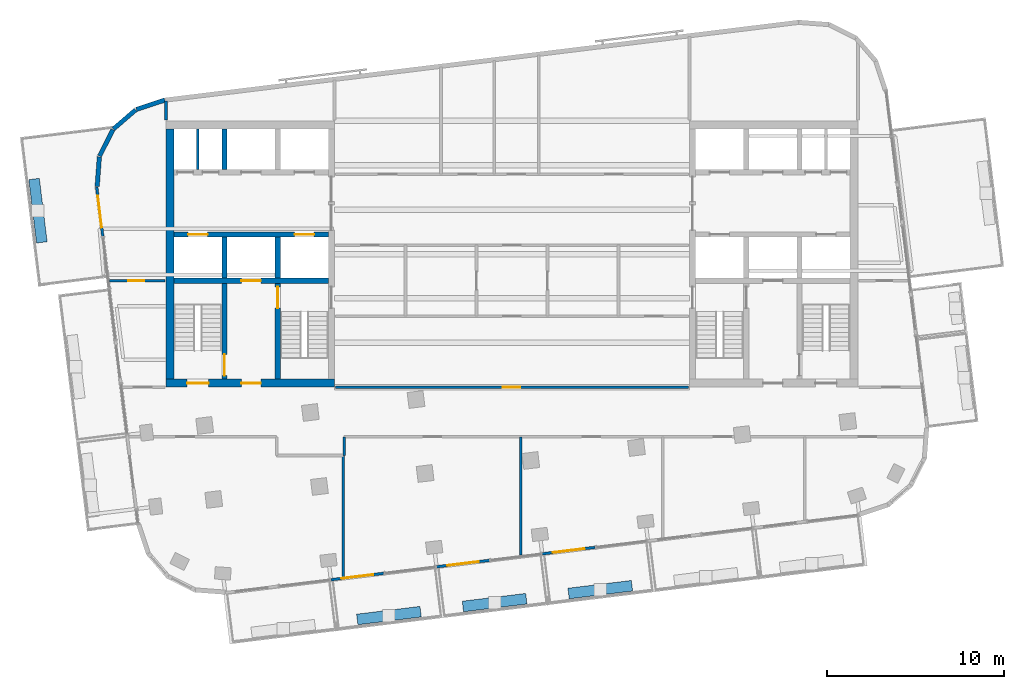
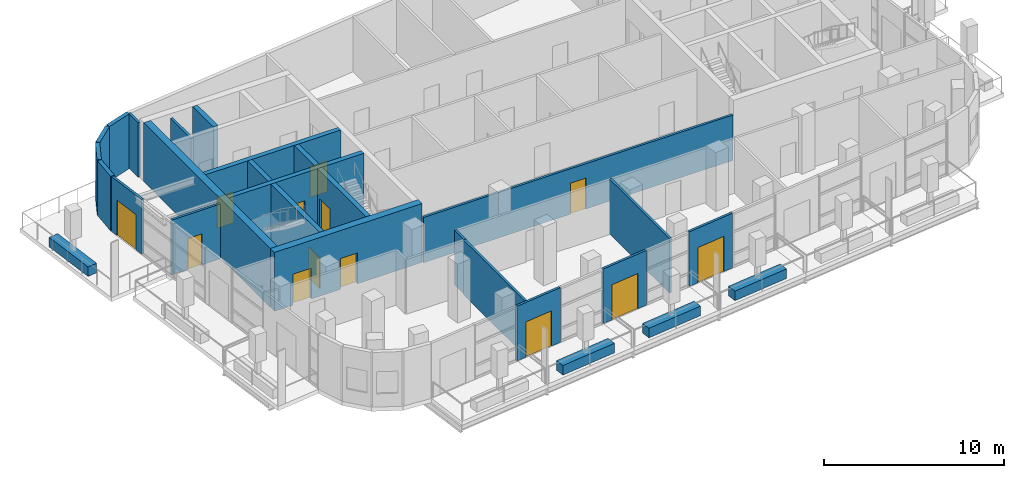
# One storey, part 7 of 14: 28 walls, 13 doors, 13 openings.
"""IFC4 building model written with IfcOpenShell, lengths in metres."""

from ifc_helpers import new_model, si_unit, direction, frame, frame_2d, origin, place, context, subcontext, project, spatial, rectangle, extrude, material, layer, layer_set, type_object, element, fill, save


model = new_model("IFC4")

# Units and contexts
model_context = context("Model", 3, precision=1e-05, world=origin(), true_north=direction((0.0, 1.0)))
body_context = subcontext(model_context, "Body", "Model", "MODEL_VIEW")
ifc_project = project(units=[si_unit("LENGTHUNIT", "METRE"), si_unit("AREAUNIT", "SQUARE_METRE"), si_unit("VOLUMEUNIT", "CUBIC_METRE"), si_unit("PLANEANGLEUNIT", "RADIAN"), si_unit("MASSUNIT", "GRAM", prefix="KILO")], contexts=[model_context])

# Site, building, storey
site_placement = place(None, origin())
site = spatial("IfcSite", under=ifc_project, at=site_placement, CompositionType="ELEMENT")
building_placement = place(site_placement, origin())
building = spatial("IfcBuilding", under=site, at=building_placement, Name="Torana Hotel and Residences", CompositionType="ELEMENT")
storey_placement = place(building_placement, frame((0.0, 0.0, 338.60009765625)))
storey = spatial("IfcBuildingStorey", under=building, at=storey_placement, Name="L89", CompositionType="ELEMENT", Elevation=338.60009765625)

# Wall, openings, doors
ifc_material_1 = material(Name="Concrete C60/75", Category="concrete")
ifc_layer_1 = layer(ifc_material_1, 0.300048828125)
ifc_layer_set_1 = layer_set([ifc_layer_1], Name="CORE WALL 300 C60/75")
wall_type_1 = type_object("IfcWallType", Name="CORE WALL 300 C60/75", PredefinedType="SHEAR", material=ifc_layer_set_1)
wall_1_placement = place(storey_placement, frame((-19.050048828125, -6.39990234375, 0.0), z_axis=(0.0, 0.0, 1.0), x_axis=(1.0, 0.0, 0.0)))
wall_1 = element("IfcWall", 1, at=wall_1_placement, inside=storey, type_object=wall_type_1, Name="Core wall W row-S", PredefinedType="SHEAR", context=body_context, shape_type="SweptSolid", body=[
    extrude(rectangle(XDim=8.699951171875, YDim=0.300048828125, at=frame_2d((4.35009765625, 0.0))), origin(), (0.0, 0.0, 1.0), 4.0),
])
opening_1_placement = place(wall_1_placement, frame((6.800048828125, 0.0, 0.0)))
opening_1 = element("IfcOpeningElement", 2, at=opening_1_placement, cuts=wall_1, Name="Opening LD", PredefinedType="OPENING", context=body_context, shape_type="SweptSolid", body=[
    extrude(rectangle(XDim=1.10009765625, YDim=2.10009765625, at=frame_2d((0.550048828125, 1.050048828125))), frame((0.0, 0.159912109375, 0.0), z_axis=(0.0, -1.0, 0.0), x_axis=(1.0, 0.0, 0.0)), (0.0, 0.0, 1.0), 0.320068359375),
])
opening_2_placement = place(wall_1_placement, frame((0.800048828125, 0.0, 0.0)))
opening_2 = element("IfcOpeningElement", 3, at=opening_2_placement, cuts=wall_1, Name="Opening LD", PredefinedType="OPENING", context=body_context, shape_type="SweptSolid", body=[
    extrude(rectangle(XDim=1.10009765625, YDim=2.10009765625, at=frame_2d((0.550048828125, 1.050048828125))), frame((0.0, 0.159912109375, 0.0), z_axis=(0.0, -1.0, 0.0), x_axis=(1.0, 0.0, 0.0)), (0.0, 0.0, 1.0), 0.320068359375),
])
ifc_material_2 = material(Name="Stainless steel 316", Category="steel")
door_type_1 = type_object("IfcDoorType", Name="LIFT LANDING DOOR LD 1100x2100", OperationType="DOUBLE_DOOR_SLIDING", PredefinedType="USERDEFINED", material=ifc_material_2)
door_1_placement = place(opening_1_placement, origin())
door_1 = element("IfcDoor", 4, at=door_1_placement, inside=storey, type_object=door_type_1, Name="Lift landing door X1 L89", ObjectType="LIFT LANDING DOOR", OperationType="DOUBLE_DOOR_SLIDING", OverallHeight=2.10009765625, OverallWidth=1.10009765625, PredefinedType="USERDEFINED", context=body_context, shape_type="SweptSolid", body=[
    extrude(rectangle(XDim=1.10009765625, YDim=2.10009765625, at=frame_2d((0.550048828125, 1.050048828125))), frame((0.0, 0.02490234375, 0.0), z_axis=(0.0, -1.0, 0.0), x_axis=(1.0, 0.0, 0.0)), (0.0, 0.0, 1.0), 0.050048828125),
])
fill(opening_1, door_1)
door_2_placement = place(opening_2_placement, origin())
door_2 = element("IfcDoor", 5, at=door_2_placement, inside=storey, type_object=door_type_1, Name="Lift landing door SV1 L89", ObjectType="LIFT LANDING DOOR", OperationType="DOUBLE_DOOR_SLIDING", OverallHeight=2.10009765625, OverallWidth=1.10009765625, PredefinedType="USERDEFINED", context=body_context, shape_type="SweptSolid", body=[
    extrude(rectangle(XDim=1.10009765625, YDim=2.10009765625, at=frame_2d((0.550048828125, 1.050048828125))), frame((0.0, 0.02490234375, 0.0), z_axis=(0.0, -1.0, 0.0), x_axis=(1.0, 0.0, 0.0)), (0.0, 0.0, 1.0), 0.050048828125),
])
fill(opening_2, door_2)

# Wall, opening, door
wall_2_placement = place(storey_placement, frame((-19.050048828125, -9.0, 0.0), z_axis=(0.0, 0.0, 1.0), x_axis=(1.0, 0.0, 0.0)))
wall_2 = element("IfcWall", 6, at=wall_2_placement, inside=storey, type_object=wall_type_1, Name="Core wall W band", PredefinedType="SHEAR", context=body_context, shape_type="SweptSolid", body=[
    extrude(rectangle(XDim=8.699951171875, YDim=0.300048828125, at=frame_2d((4.35009765625, 0.0))), origin(), (0.0, 0.0, 1.0), 4.0),
])
opening_3_placement = place(wall_2_placement, frame((3.800048828125, 0.0, 0.0)))
opening_3 = element("IfcOpeningElement", 7, at=opening_3_placement, cuts=wall_2, Name="Opening LD", PredefinedType="OPENING", context=body_context, shape_type="SweptSolid", body=[
    extrude(rectangle(XDim=1.10009765625, YDim=2.10009765625, at=frame_2d((0.550048828125, 1.050048828125))), frame((0.0, 0.159912109375, 0.0), z_axis=(0.0, -1.0, 0.0), x_axis=(1.0, 0.0, 0.0)), (0.0, 0.0, 1.0), 0.320068359375),
])
door_3_placement = place(opening_3_placement, origin())
door_3 = element("IfcDoor", 8, at=door_3_placement, inside=storey, type_object=door_type_1, Name="Lift landing door FF1 L89", ObjectType="LIFT LANDING DOOR", OperationType="DOUBLE_DOOR_SLIDING", OverallHeight=2.10009765625, OverallWidth=1.10009765625, PredefinedType="USERDEFINED", context=body_context, shape_type="SweptSolid", body=[
    extrude(rectangle(XDim=1.10009765625, YDim=2.10009765625, at=frame_2d((0.550048828125, 1.050048828125))), frame((0.0, 0.02490234375, 0.0), z_axis=(0.0, -1.0, 0.0), x_axis=(1.0, 0.0, 0.0)), (0.0, 0.0, 1.0), 0.050048828125),
])
fill(opening_3, door_3)

# Wall
wall_3_placement = place(storey_placement, frame((-13.199951171875, -8.85009765625, 0.0), z_axis=(0.0, 0.0, 1.0), x_axis=(0.0, 1.0, 0.0)))
element("IfcWall", 9, at=wall_3_placement, inside=storey, type_object=wall_type_1, Name="Core wall W x3.05-S", PredefinedType="SHEAR", context=body_context, shape_type="SweptSolid", body=[
    extrude(rectangle(XDim=2.300048828125, YDim=0.300048828125, at=frame_2d((1.14990234375, 0.0))), origin(), (0.0, 0.0, 1.0), 4.0),
])

# Wall, opening, door
wall_4_placement = place(storey_placement, frame((-13.199951171875, -14.550048828125, 0.0), z_axis=(0.0, 0.0, 1.0), x_axis=(0.0, 1.0, 0.0)))
wall_4 = element("IfcWall", 10, at=wall_4_placement, inside=storey, type_object=wall_type_1, Name="Core wall W x3.05-band", PredefinedType="SHEAR", context=body_context, shape_type="SweptSolid", body=[
    extrude(rectangle(XDim=5.400146484375, YDim=0.300048828125, at=frame_2d((2.7001953125, 0.0))), origin(), (0.0, 0.0, 1.0), 4.0),
])
opening_4_placement = place(wall_4_placement, frame((4.0, 0.0, 0.0)))
opening_4 = element("IfcOpeningElement", 11, at=opening_4_placement, cuts=wall_4, Name="Opening L89-08", PredefinedType="OPENING", context=body_context, shape_type="SweptSolid", body=[
    extrude(rectangle(XDim=1.199951171875, YDim=2.10009765625, at=frame_2d((0.60009765625, 1.050048828125))), frame((0.0, 0.159912109375, 0.0), z_axis=(0.0, -1.0, 0.0), x_axis=(1.0, 0.0, 0.0)), (0.0, 0.0, 1.0), 0.320068359375),
])
ifc_material_3 = material(Name="Steel S235", Category="steel")
door_type_2 = type_object("IfcDoorType", Name="STAIR FIRE DOOR D3 1200x2100", OperationType="SINGLE_SWING_LEFT", PredefinedType="DOOR", material=ifc_material_3)
door_4_placement = place(opening_4_placement, frame((0.60009765625, 0.0, 0.0), z_axis=(0.0, 0.0, 1.0), x_axis=(-1.0, 0.0, 0.0)))
door_4 = element("IfcDoor", 12, at=door_4_placement, inside=storey, type_object=door_type_2, Name="Stair-A-lobby door L89", OperationType="SINGLE_SWING_RIGHT", OverallHeight=2.10009765625, OverallWidth=1.199951171875, PredefinedType="DOOR", context=body_context, shape_type="SweptSolid", body=[
    extrude(rectangle(XDim=1.199951171875, YDim=2.10009765625, at=frame_2d((0.0, 1.050048828125))), frame((0.0, -0.02490234375, 0.0), z_axis=(0.0, 1.0, 0.0), x_axis=(-1.0, 0.0, 0.0)), (0.0, 0.0, 1.0), 0.050048828125),
])
fill(opening_4, door_4)

# Walls
for number, where, z_axis, x_axis, name in (
    (13, (-16.199951171875, -2.75, 0.0), (0.0, 0.0, 1.0), (0.0, 1.0, 0.0), "Core wall W x6.05-N"),
    (14, (-16.199951171875, -8.85009765625, 0.0), (0.0, 0.0, 1.0), (0.0, 1.0, 0.0), "Core wall W x6.05-S"),
):
    element("IfcWall", number, at=place(storey_placement, frame(where, z_axis=z_axis, x_axis=x_axis)), inside=storey, type_object=wall_type_1, Name=name, PredefinedType="SHEAR", context=body_context, shape_type="SweptSolid", body=[
        extrude(rectangle(XDim=2.300048828125, YDim=0.300048828125, at=frame_2d((1.14990234375, 0.0))), origin(), (0.0, 0.0, 1.0), 4.0),
    ])

# Wall, opening, door
wall_5_placement = place(storey_placement, frame((-16.199951171875, -14.550048828125, 0.0), z_axis=(0.0, 0.0, 1.0), x_axis=(0.0, 1.0, 0.0)))
wall_5 = element("IfcWall", 15, at=wall_5_placement, inside=storey, type_object=wall_type_1, Name="Core wall W x6.05-band", PredefinedType="SHEAR", context=body_context, shape_type="SweptSolid", body=[
    extrude(rectangle(XDim=5.400146484375, YDim=0.300048828125, at=frame_2d((2.7001953125, 0.0))), origin(), (0.0, 0.0, 1.0), 4.0),
])
opening_5_placement = place(wall_5_placement, frame((0.199951171875, 0.0, 0.0)))
opening_5 = element("IfcOpeningElement", 16, at=opening_5_placement, cuts=wall_5, Name="Opening L89-09", PredefinedType="OPENING", context=body_context, shape_type="SweptSolid", body=[
    extrude(rectangle(XDim=1.199951171875, YDim=2.10009765625, at=frame_2d((0.60009765625, 1.050048828125))), frame((0.0, 0.159912109375, 0.0), z_axis=(0.0, -1.0, 0.0), x_axis=(1.0, 0.0, 0.0)), (0.0, 0.0, 1.0), 0.320068359375),
])
door_5_placement = place(opening_5_placement, origin())
door_5 = element("IfcDoor", 17, at=door_5_placement, inside=storey, type_object=door_type_2, Name="Stair-B-lobby door L89", OperationType="SINGLE_SWING_RIGHT", OverallHeight=2.10009765625, OverallWidth=1.199951171875, PredefinedType="DOOR", context=body_context, shape_type="SweptSolid", body=[
    extrude(rectangle(XDim=1.199951171875, YDim=2.10009765625, at=frame_2d((0.60009765625, 1.050048828125))), frame((0.0, 0.02490234375, 0.0), z_axis=(0.0, -1.0, 0.0), x_axis=(1.0, 0.0, 0.0)), (0.0, 0.0, 1.0), 0.050048828125),
])
fill(opening_5, door_5)

# Wall, openings, doors
ifc_material_4 = material(Name="Concrete C60/75", Category="concrete")
ifc_layer_2 = layer(ifc_material_4, 0.449951171875)
ifc_layer_set_2 = layer_set([ifc_layer_2], Name="CORE WALL 450 C60/75")
wall_type_2 = type_object("IfcWallType", Name="CORE WALL 450 C60/75", PredefinedType="SHEAR", material=ifc_layer_set_2)
wall_6_placement = place(storey_placement, frame((-19.5, -14.77490234375, 0.0), z_axis=(0.0, 0.0, 1.0), x_axis=(1.0, 0.0, 0.0)))
wall_6 = element("IfcWall", 18, at=wall_6_placement, inside=storey, type_object=wall_type_2, Name="Core wall W front", PredefinedType="SHEAR", context=body_context, shape_type="SweptSolid", body=[
    extrude(rectangle(XDim=9.5, YDim=0.449951171875, at=frame_2d((4.75, 0.0))), origin(), (0.0, 0.0, 1.0), 4.0),
])
opening_6_placement = place(wall_6_placement, frame((1.199951171875, 0.0, 0.0)))
opening_6 = element("IfcOpeningElement", 19, at=opening_6_placement, cuts=wall_6, Name="Opening L89-04", PredefinedType="OPENING", context=body_context, shape_type="SweptSolid", body=[
    extrude(rectangle(XDim=1.199951171875, YDim=2.10009765625, at=frame_2d((0.60009765625, 1.050048828125))), frame((0.0, 0.23486328125, 0.0), z_axis=(0.0, -1.0, 0.0), x_axis=(1.0, 0.0, 0.0)), (0.0, 0.0, 1.0), 0.469970703125),
])
opening_7_placement = place(wall_6_placement, frame((4.25, 0.0, 0.0)))
opening_7 = element("IfcOpeningElement", 20, at=opening_7_placement, cuts=wall_6, Name="Opening L89-05", PredefinedType="OPENING", context=body_context, shape_type="SweptSolid", body=[
    extrude(rectangle(XDim=1.10009765625, YDim=2.10009765625, at=frame_2d((0.550048828125, 1.050048828125))), frame((0.0, 0.23486328125, 0.0), z_axis=(0.0, -1.0, 0.0), x_axis=(1.0, 0.0, 0.0)), (0.0, 0.0, 1.0), 0.469970703125),
])
ifc_material_5 = material(Name="Steel S235", Category="steel")
door_type_3 = type_object("IfcDoorType", Name="FIRE-FIGHTING LOBBY DOOR D8 1100x2100", OperationType="SINGLE_SWING_LEFT", PredefinedType="DOOR", material=ifc_material_5)
door_6_placement = place(opening_7_placement, origin())
door_6 = element("IfcDoor", 21, at=door_6_placement, inside=storey, type_object=door_type_3, Name="FF-lobby door L89", OperationType="SINGLE_SWING_RIGHT", OverallHeight=2.10009765625, OverallWidth=1.10009765625, PredefinedType="DOOR", context=body_context, shape_type="SweptSolid", body=[
    extrude(rectangle(XDim=1.10009765625, YDim=2.10009765625, at=frame_2d((0.550048828125, 1.050048828125))), frame((0.0, 0.02490234375, 0.0), z_axis=(0.0, -1.0, 0.0), x_axis=(1.0, 0.0, 0.0)), (0.0, 0.0, 1.0), 0.050048828125),
])
fill(opening_7, door_6)
door_7_placement = place(opening_6_placement, origin())
door_7 = element("IfcDoor", 22, at=door_7_placement, inside=storey, type_object=door_type_2, Name="Stair-B door L89", OperationType="SINGLE_SWING_RIGHT", OverallHeight=2.10009765625, OverallWidth=1.199951171875, PredefinedType="DOOR", context=body_context, shape_type="SweptSolid", body=[
    extrude(rectangle(XDim=1.199951171875, YDim=2.10009765625, at=frame_2d((0.60009765625, 1.050048828125))), frame((0.0, 0.02490234375, 0.0), z_axis=(0.0, -1.0, 0.0), x_axis=(1.0, 0.0, 0.0)), (0.0, 0.0, 1.0), 0.050048828125),
])
fill(opening_6, door_7)

# Walls
wall_7_placement = place(storey_placement, frame((-19.27490234375, -14.550048828125, 0.0), z_axis=(0.0, 0.0, 1.0), x_axis=(0.0, 1.0, 0.0)))
element("IfcWall", 23, at=wall_7_placement, inside=storey, type_object=wall_type_2, Name="Core wall W outer", PredefinedType="SHEAR", context=body_context, shape_type="SweptSolid", body=[
    extrude(rectangle(XDim=14.10009765625, YDim=0.449951171875, at=frame_2d((7.050048828125, 0.0))), origin(), (0.0, 0.0, 1.0), 4.0),
])
ifc_material_6 = material(Name="Black aluminium composite panel", Category="aluminium")
ifc_layer_3 = layer(ifc_material_6, 0.00390625, Name="Cladding", Category="cladding")
ifc_material_7 = material(Name="Ventilated air cavity")
ifc_layer_4 = layer(ifc_material_7, 0.0400390625, Name="Ventilated cavity", Category="cavity")
ifc_material_8 = material(Name="Mineral wool insulation")
ifc_layer_5 = layer(ifc_material_8, 0.090087890625, Name="Insulation", Category="insulation")
ifc_material_9 = material(Name="Steel S280GD", Category="steel")
ifc_layer_6 = layer(ifc_material_9, 0.092041015625, Name="Steel stud frame", Category="structure")
ifc_material_10 = material(Name="Fire rated plasterboard")
ifc_layer_7 = layer(ifc_material_10, 0.011962890625, Name="Inner board", Category="finish")
ifc_layer_8 = layer(ifc_material_10, 0.011962890625, Name="Second board", Category="finish")
ifc_layer_set_3 = layer_set([ifc_layer_3, ifc_layer_4, ifc_layer_5, ifc_layer_6, ifc_layer_7, ifc_layer_8], Name="EW1 EXTERNAL WALL BLACK METAL CLAD 250")
wall_type_3 = type_object("IfcWallType", Name="EW1 EXTERNAL WALL BLACK METAL CLAD 250", PredefinedType="SOLIDWALL", material=ifc_layer_set_3)
wall_8_placement = place(storey_placement, frame((-19.568359375, 1.1748046875, 0.0), z_axis=(0.0, 0.0, 1.0), x_axis=(-0.949694735798, -0.313177120489, 0.0)))
element("IfcWall", 24, at=wall_8_placement, inside=storey, type_object=wall_type_3, Name="External wall L89 e0.5", PredefinedType="SOLIDWALL", context=body_context, shape_type="SweptSolid", body=[
    extrude(rectangle(XDim=1.681396484375, YDim=0.25, at=frame_2d((0.8408203125, 0.0))), origin(), (0.0, 0.0, 1.0), 3.719970703125),
])
wall_9_placement = place(storey_placement, frame((-21.207763671875, 0.624267578125, 0.0), z_axis=(0.0, 0.0, 1.0), x_axis=(-0.757568315466, -0.652755886531, 0.0)))
element("IfcWall", 25, at=wall_9_placement, inside=storey, type_object=wall_type_3, Name="External wall L89 e0.6", PredefinedType="SOLIDWALL", context=body_context, shape_type="SweptSolid", body=[
    extrude(rectangle(XDim=1.65625, YDim=0.25, at=frame_2d((0.828125, 0.0))), origin(), (0.0, 0.0, 1.0), 3.719970703125),
])
wall_10_placement = place(storey_placement, frame((-22.49267578125, -0.495361328125, 0.0), z_axis=(0.0, 0.0, 1.0), x_axis=(-0.449982385812, -0.893037430604, 0.0)))
element("IfcWall", 26, at=wall_10_placement, inside=storey, type_object=wall_type_3, Name="External wall L89 e0.7", PredefinedType="SOLIDWALL", context=body_context, shape_type="SweptSolid", body=[
    extrude(rectangle(XDim=1.656494140625, YDim=0.25, at=frame_2d((0.828125, 0.0))), origin(), (0.0, 0.0, 1.0), 3.719970703125),
])
wall_11_placement = place(storey_placement, frame((-23.251220703125, -2.021484375, 0.0), z_axis=(0.0, 0.0, 1.0), x_axis=(-0.074053534713, -0.997254267475, 0.0)))
element("IfcWall", 27, at=wall_11_placement, inside=storey, type_object=wall_type_3, Name="External wall L89 e0.8", PredefinedType="SOLIDWALL", context=body_context, shape_type="SweptSolid", body=[
    extrude(rectangle(XDim=1.681396484375, YDim=0.25, at=frame_2d((0.8408203125, 0.0))), origin(), (0.0, 0.0, 1.0), 3.719970703125),
])
ifc_material_11 = material(Name="Gypsum plaster")
ifc_layer_9 = layer(ifc_material_11, 0.014892578125, Name="Plaster", Category="finish")
ifc_material_12 = material(Name="Concrete blockwork", Category="masonry")
ifc_layer_10 = layer(ifc_material_12, 0.1201171875, Name="Blockwork", Category="structure")
ifc_layer_11 = layer(ifc_material_11, 0.014892578125, Name="Plaster", Category="finish")
ifc_layer_set_4 = layer_set([ifc_layer_9, ifc_layer_10, ifc_layer_11], Name="FIRE PARTITION 150 BLOCKWORK")
wall_type_4 = type_object("IfcWallType", Name="FIRE PARTITION 150 BLOCKWORK", PredefinedType="PARTITIONING", material=ifc_layer_set_4)
wall_12_placement = place(storey_placement, frame((-17.699951171875, -2.75, 0.0), z_axis=(0.0, 0.0, 1.0), x_axis=(0.0, 1.0, 0.0)))
element("IfcWall", 28, at=wall_12_placement, inside=storey, type_object=wall_type_4, Name="Core partition L89", PredefinedType="PARTITIONING", context=body_context, shape_type="SweptSolid", body=[
    extrude(rectangle(XDim=2.300048828125, YDim=0.14990234375, at=frame_2d((1.14990234375, 0.0))), origin(), (0.0, 0.0, 1.0), 3.699951171875),
])
wall_13_placement = place(storey_placement, frame((-9.4609375, -18.85009765625, 0.0), z_axis=(0.0, 0.0, 1.0), x_axis=(0.0, 1.0, 0.0)))
element("IfcWall", 29, at=wall_13_placement, inside=storey, type_object=wall_type_4, Name="Partition L89", PredefinedType="PARTITIONING", context=body_context, shape_type="SweptSolid", body=[
    extrude(rectangle(XDim=1.050048828125, YDim=0.14990234375, at=frame_2d((0.52490234375, 0.0))), origin(), (0.0, 0.0, 1.0), 3.719970703125),
])

# Wall, opening, door
wall_14_placement = place(storey_placement, frame((-9.949951171875, -15.0, 0.0), z_axis=(0.0, 0.0, 1.0), x_axis=(1.0, 0.0, 0.0)))
wall_14 = element("IfcWall", 30, at=wall_14_placement, inside=storey, type_object=wall_type_4, Name="Partition L89", PredefinedType="PARTITIONING", context=body_context, shape_type="SweptSolid", body=[
    extrude(rectangle(XDim=19.89990234375, YDim=0.14990234375, at=frame_2d((9.949951171875, 0.0))), origin(), (0.0, 0.0, 1.0), 3.083984375),
])
opening_8_placement = place(wall_14_placement, frame((9.429931640625, 0.0, 0.0)))
opening_8 = element("IfcOpeningElement", 31, at=opening_8_placement, cuts=wall_14, Name="Opening L89-19", PredefinedType="OPENING", context=body_context, shape_type="SweptSolid", body=[
    extrude(rectangle(XDim=1.0, YDim=2.10009765625, at=frame_2d((0.5, 1.050048828125))), frame((0.0, 0.0849609375, 0.0), z_axis=(0.0, -1.0, 0.0), x_axis=(1.0, 0.0, 0.0)), (0.0, 0.0, 1.0), 0.169921875),
])
ifc_material_13 = material(Name="Steel S235", Category="steel")
door_type_4 = type_object("IfcDoorType", Name="ENTRY FIRE DOOR D6 1000x2100", OperationType="SINGLE_SWING_LEFT", PredefinedType="DOOR", material=ifc_material_13)
door_8_placement = place(opening_8_placement, origin())
door_8 = element("IfcDoor", 32, at=door_8_placement, inside=storey, type_object=door_type_4, Name="Door L89", OperationType="SINGLE_SWING_RIGHT", OverallHeight=2.10009765625, OverallWidth=1.0, PredefinedType="DOOR", context=body_context, shape_type="SweptSolid", body=[
    extrude(rectangle(XDim=1.0, YDim=2.10009765625, at=frame_2d((0.5, 1.050048828125))), frame((0.0, 0.02490234375, 0.0), z_axis=(0.0, -1.0, 0.0), x_axis=(1.0, 0.0, 0.0)), (0.0, 0.0, 1.0), 0.050048828125),
])
fill(opening_8, door_8)

ifc_material_14 = material(Name="Dark glass screen in aluminium frame", Category="aluminium")
ifc_layer_12 = layer(ifc_material_14, 0.14990234375)
ifc_layer_set_5 = layer_set([ifc_layer_12], Name="GS1 GLAZED DOOR SCREEN 150")
wall_type_5 = type_object("IfcWallType", Name="GS1 GLAZED DOOR SCREEN 150", PredefinedType="USERDEFINED", material=ifc_layer_set_5)
wall_15_placement = place(storey_placement, frame((-23.39990234375, -3.725830078125, 0.0), z_axis=(0.0, 0.0, 1.0), x_axis=(0.121830924856, -0.992550868091, 0.0)))
wall_15 = element("IfcWall", 33, at=wall_15_placement, inside=storey, type_object=wall_type_5, Name="Glazed door screen L89", ObjectType="GLAZED SCREEN", PredefinedType="USERDEFINED", context=body_context, shape_type="SweptSolid", body=[
    extrude(rectangle(XDim=2.79541015625, YDim=0.14990234375, at=frame_2d((1.397705078125, 0.0))), origin(), (0.0, 0.0, 1.0), 3.719970703125),
])
opening_9_placement = place(wall_15_placement, frame((0.497802734375, 0.0, 0.0)))
opening_9 = element("IfcOpeningElement", 34, at=opening_9_placement, cuts=wall_15, Name="Opening L89-E01", PredefinedType="OPENING", context=body_context, shape_type="SweptSolid", body=[
    extrude(rectangle(XDim=1.800048828125, YDim=2.39990234375, at=frame_2d((0.89990234375, 1.199951171875))), frame((0.0, 0.0849609375, 0.0), z_axis=(0.0, -1.0, 0.0), x_axis=(1.0, 0.0, 0.0)), (0.0, 0.0, 1.0), 0.169921875),
])
ifc_material_15 = material(Name="Dark glass in black aluminium frame", Category="aluminium")
door_type_5 = type_object("IfcDoorType", Name="DB1 BALCONY DOOR 1800x2400", OperationType="DOUBLE_DOOR_SINGLE_SWING", PredefinedType="DOOR", material=ifc_material_15)
door_9_placement = place(opening_9_placement, origin())
door_9 = element("IfcDoor", 35, at=door_9_placement, inside=storey, type_object=door_type_5, Name="Balcony door L89", OperationType="DOUBLE_DOOR_SINGLE_SWING", OverallHeight=2.39990234375, OverallWidth=1.800048828125, PredefinedType="DOOR", context=body_context, shape_type="SweptSolid", body=[
    extrude(rectangle(XDim=1.800048828125, YDim=2.39990234375, at=frame_2d((0.89990234375, 1.199951171875))), frame((0.0, 0.02490234375, 0.0), z_axis=(0.0, -1.0, 0.0), x_axis=(1.0, 0.0, 0.0)), (0.0, 0.0, 1.0), 0.050048828125),
])
fill(opening_9, door_9)

wall_16_placement = place(storey_placement, frame((-10.204345703125, -25.85791015625, 0.0), z_axis=(0.0, 0.0, 1.0), x_axis=(0.99255088108, 0.121830819037, 0.0)))
wall_16 = element("IfcWall", 36, at=wall_16_placement, inside=storey, type_object=wall_type_5, Name="Glazed door screen L89", ObjectType="GLAZED SCREEN", PredefinedType="USERDEFINED", context=body_context, shape_type="SweptSolid", body=[
    extrude(rectangle(XDim=3.0, YDim=0.14990234375, at=frame_2d((1.5, 0.0))), origin(), (0.0, 0.0, 1.0), 3.719970703125),
])
opening_10_placement = place(wall_16_placement, frame((0.60009765625, 0.0, 0.0)))
opening_10 = element("IfcOpeningElement", 37, at=opening_10_placement, cuts=wall_16, Name="Opening L89-E05", PredefinedType="OPENING", context=body_context, shape_type="SweptSolid", body=[
    extrude(rectangle(XDim=1.800048828125, YDim=2.39990234375, at=frame_2d((0.89990234375, 1.199951171875))), frame((0.0, 0.0849609375, 0.0), z_axis=(0.0, -1.0, 0.0), x_axis=(1.0, 0.0, 0.0)), (0.0, 0.0, 1.0), 0.169921875),
])
door_10_placement = place(opening_10_placement, origin())
door_10 = element("IfcDoor", 38, at=door_10_placement, inside=storey, type_object=door_type_5, Name="Balcony door L89", OperationType="DOUBLE_DOOR_SINGLE_SWING", OverallHeight=2.39990234375, OverallWidth=1.800048828125, PredefinedType="DOOR", context=body_context, shape_type="SweptSolid", body=[
    extrude(rectangle(XDim=1.800048828125, YDim=2.39990234375, at=frame_2d((0.89990234375, 1.199951171875))), frame((0.0, 0.02490234375, 0.0), z_axis=(0.0, -1.0, 0.0), x_axis=(1.0, 0.0, 0.0)), (0.0, 0.0, 1.0), 0.050048828125),
])
fill(opening_10, door_10)

wall_17_placement = place(storey_placement, frame((-4.2490234375, -25.126708984375, 0.0), z_axis=(0.0, 0.0, 1.0), x_axis=(0.99255088108, 0.121830819037, 0.0)))
wall_17 = element("IfcWall", 39, at=wall_17_placement, inside=storey, type_object=wall_type_5, Name="Glazed door screen L89", ObjectType="GLAZED SCREEN", PredefinedType="USERDEFINED", context=body_context, shape_type="SweptSolid", body=[
    extrude(rectangle(XDim=3.0, YDim=0.14990234375, at=frame_2d((1.5, 0.0))), origin(), (0.0, 0.0, 1.0), 3.719970703125),
])
opening_11_placement = place(wall_17_placement, frame((0.60009765625, 0.0, 0.0)))
opening_11 = element("IfcOpeningElement", 40, at=opening_11_placement, cuts=wall_17, Name="Opening L89-E06", PredefinedType="OPENING", context=body_context, shape_type="SweptSolid", body=[
    extrude(rectangle(XDim=1.800048828125, YDim=2.39990234375, at=frame_2d((0.89990234375, 1.199951171875))), frame((0.0, 0.0849609375, 0.0), z_axis=(0.0, -1.0, 0.0), x_axis=(1.0, 0.0, 0.0)), (0.0, 0.0, 1.0), 0.169921875),
])
door_11_placement = place(opening_11_placement, origin())
door_11 = element("IfcDoor", 41, at=door_11_placement, inside=storey, type_object=door_type_5, Name="Balcony door L89", OperationType="DOUBLE_DOOR_SINGLE_SWING", OverallHeight=2.39990234375, OverallWidth=1.800048828125, PredefinedType="DOOR", context=body_context, shape_type="SweptSolid", body=[
    extrude(rectangle(XDim=1.800048828125, YDim=2.39990234375, at=frame_2d((0.89990234375, 1.199951171875))), frame((0.0, 0.02490234375, 0.0), z_axis=(0.0, -1.0, 0.0), x_axis=(1.0, 0.0, 0.0)), (0.0, 0.0, 1.0), 0.050048828125),
])
fill(opening_11, door_11)

wall_18_placement = place(storey_placement, frame((1.706298828125, -24.3955078125, 0.0), z_axis=(0.0, 0.0, 1.0), x_axis=(0.99255088108, 0.121830819037, 0.0)))
wall_18 = element("IfcWall", 42, at=wall_18_placement, inside=storey, type_object=wall_type_5, Name="Glazed door screen L89", ObjectType="GLAZED SCREEN", PredefinedType="USERDEFINED", context=body_context, shape_type="SweptSolid", body=[
    extrude(rectangle(XDim=3.0, YDim=0.14990234375, at=frame_2d((1.5, 0.0))), origin(), (0.0, 0.0, 1.0), 3.719970703125),
])
opening_12_placement = place(wall_18_placement, frame((0.60009765625, 0.0, 0.0)))
opening_12 = element("IfcOpeningElement", 43, at=opening_12_placement, cuts=wall_18, Name="Opening L89-E07", PredefinedType="OPENING", context=body_context, shape_type="SweptSolid", body=[
    extrude(rectangle(XDim=1.800048828125, YDim=2.39990234375, at=frame_2d((0.89990234375, 1.199951171875))), frame((0.0, 0.0849609375, 0.0), z_axis=(0.0, -1.0, 0.0), x_axis=(1.0, 0.0, 0.0)), (0.0, 0.0, 1.0), 0.169921875),
])
door_12_placement = place(opening_12_placement, origin())
door_12 = element("IfcDoor", 44, at=door_12_placement, inside=storey, type_object=door_type_5, Name="Balcony door L89", OperationType="DOUBLE_DOOR_SINGLE_SWING", OverallHeight=2.39990234375, OverallWidth=1.800048828125, PredefinedType="DOOR", context=body_context, shape_type="SweptSolid", body=[
    extrude(rectangle(XDim=1.800048828125, YDim=2.39990234375, at=frame_2d((0.89990234375, 1.199951171875))), frame((0.0, 0.02490234375, 0.0), z_axis=(0.0, -1.0, 0.0), x_axis=(1.0, 0.0, 0.0)), (0.0, 0.0, 1.0), 0.050048828125),
])
fill(opening_12, door_12)

# Walls
ifc_material_16 = material(Name="Gypsum plasterboard")
ifc_layer_13 = layer(ifc_material_16, 0.012451171875, Name="Plasterboard", Category="finish")
ifc_layer_14 = layer(ifc_material_16, 0.012451171875, Name="Plasterboard", Category="finish")
ifc_layer_15 = layer(ifc_material_9, 0.10009765625, Name="Steel studs with mineral wool", Category="insulation")
ifc_layer_16 = layer(ifc_material_16, 0.012451171875, Name="Plasterboard", Category="finish")
ifc_layer_17 = layer(ifc_material_16, 0.012451171875, Name="Plasterboard", Category="finish")
ifc_layer_set_6 = layer_set([ifc_layer_13, ifc_layer_14, ifc_layer_15, ifc_layer_16, ifc_layer_17], Name="PARTITION 150 PLASTERBOARD")
wall_type_6 = type_object("IfcWallType", Name="PARTITION 150 PLASTERBOARD", PredefinedType="PARTITIONING", material=ifc_layer_set_6)
wall_19_placement = place(storey_placement, frame((0.498046875, -24.46337890625, 0.0), z_axis=(0.0, 0.0, 1.0), x_axis=(0.0, 1.0, 0.0)))
element("IfcWall", 45, at=wall_19_placement, inside=storey, type_object=wall_type_6, Name="Partition L89", PredefinedType="PARTITIONING", context=body_context, shape_type="SweptSolid", body=[
    extrude(rectangle(XDim=6.663330078125, YDim=0.14990234375, at=frame_2d((3.33154296875, 0.0))), origin(), (0.0, 0.0, 1.0), 3.719970703125),
])
wall_20_placement = place(storey_placement, frame((-9.501953125, -25.691162109375, 0.0), z_axis=(0.0, 0.0, 1.0), x_axis=(0.0, 1.0, 0.0)))
element("IfcWall", 46, at=wall_20_placement, inside=storey, type_object=wall_type_6, Name="Partition L89", PredefinedType="PARTITIONING", context=body_context, shape_type="SweptSolid", body=[
    extrude(rectangle(XDim=6.841064453125, YDim=0.14990234375, at=frame_2d((3.42041015625, 0.0))), origin(), (0.0, 0.0, 1.0), 3.719970703125),
])
wall_21_placement = place(storey_placement, frame((-19.5, 0.050048828125, 0.0), z_axis=(0.0, 0.0, 1.0), x_axis=(0.0, 1.0, 0.0)))
element("IfcWall", 47, at=wall_21_placement, inside=storey, type_object=wall_type_6, Name="Partition L89", PredefinedType="PARTITIONING", context=body_context, shape_type="SweptSolid", body=[
    extrude(rectangle(XDim=1.080322265625, YDim=0.14990234375, at=frame_2d((0.5400390625, 0.0))), origin(), (0.0, 0.0, 1.0), 3.719970703125),
])

# Wall, opening, door
wall_22_placement = place(storey_placement, frame((-22.671875, -9.0, 0.0), z_axis=(0.0, 0.0, 1.0), x_axis=(1.0, 0.0, 0.0)))
wall_22 = element("IfcWall", 48, at=wall_22_placement, inside=storey, type_object=wall_type_6, Name="Partition L89", PredefinedType="PARTITIONING", context=body_context, shape_type="SweptSolid", body=[
    extrude(rectangle(XDim=3.121826171875, YDim=0.14990234375, at=frame_2d((1.56103515625, 0.0))), origin(), (0.0, 0.0, 1.0), 3.719970703125),
])
opening_13_placement = place(wall_22_placement, frame((1.044921875, 0.0, 0.0)))
opening_13 = element("IfcOpeningElement", 49, at=opening_13_placement, cuts=wall_22, Name="Opening L89-37", PredefinedType="OPENING", context=body_context, shape_type="SweptSolid", body=[
    extrude(rectangle(XDim=0.89990234375, YDim=2.10009765625, at=frame_2d((0.449951171875, 1.050048828125))), frame((0.0, 0.0849609375, 0.0), z_axis=(0.0, -1.0, 0.0), x_axis=(1.0, 0.0, 0.0)), (0.0, 0.0, 1.0), 0.169921875),
])
ifc_material_17 = material(Name="Timber door, oiled ash", Category="wood")
door_type_6 = type_object("IfcDoorType", Name="ROOM DOOR D7 900x2100", OperationType="SINGLE_SWING_LEFT", PredefinedType="DOOR", material=ifc_material_17)
door_13_placement = place(opening_13_placement, origin())
door_13 = element("IfcDoor", 50, at=door_13_placement, inside=storey, type_object=door_type_6, Name="Door L89", OperationType="SINGLE_SWING_RIGHT", OverallHeight=2.10009765625, OverallWidth=0.89990234375, PredefinedType="DOOR", context=body_context, shape_type="SweptSolid", body=[
    extrude(rectangle(XDim=0.89990234375, YDim=2.10009765625, at=frame_2d((0.449951171875, 1.050048828125))), frame((0.0, 0.02490234375, 0.0), z_axis=(0.0, -1.0, 0.0), x_axis=(1.0, 0.0, 0.0)), (0.0, 0.0, 1.0), 0.050048828125),
])
fill(opening_13, door_13)

# Walls
ifc_material_18 = material(Name="Concrete C40/50 precast", Category="concrete")
ifc_layer_18 = layer(ifc_material_18, 0.10009765625, Name="Planter shell", Category="structure")
ifc_material_19 = material(Name="Root resistant membrane")
ifc_layer_19 = layer(ifc_material_19, 0.00390625, Name="Waterproofing membrane", Category="membrane")
ifc_material_20 = material(Name="Drainage board with filter fleece")
ifc_layer_20 = layer(ifc_material_20, 0.02001953125, Name="Drainage board", Category="drainage")
ifc_material_21 = material(Name="Growing medium")
ifc_layer_21 = layer(ifc_material_21, 0.47607421875, Name="Planting substrate", Category="soil")
ifc_layer_set_7 = layer_set([ifc_layer_18, ifc_layer_19, ifc_layer_20, ifc_layer_21], Name="PL1 BALCONY PLANTER 600")
wall_type_7 = type_object("IfcWallType", Name="PL1 BALCONY PLANTER 600", PredefinedType="USERDEFINED", material=ifc_layer_set_7)
for number, where, z_axis, x_axis, name in (
    (51, (-5.147705078125, -27.6552734375, 0.0), (0.0, 0.0, 1.0), (-0.992545758265, -0.121872547154, 0.0), "Planter 02"),
    (52, (0.8076171875, -26.924072265625, 0.0), (0.0, 0.0, 1.0), (-0.992545758265, -0.121872547154, 0.0), "Planter 03"),
):
    element("IfcWall", number, at=place(storey_placement, frame(where, z_axis=z_axis, x_axis=x_axis)), inside=storey, type_object=wall_type_7, Name=name, ObjectType="PLANTER", PredefinedType="USERDEFINED", context=body_context, shape_type="SweptSolid", body=[
        extrude(rectangle(XDim=3.599853515625, YDim=0.60009765625, at=frame_2d((1.7998046875, 0.0))), origin(), (0.0, 0.0, 1.0), 0.64990234375),
    ])
wall_23_placement = place(storey_placement, frame((6.762939453125, -26.19287109375, 0.0), z_axis=(0.0, 0.0, 1.0), x_axis=(-0.992546765488, -0.121864343918, 0.0)))
element("IfcWall", 53, at=wall_23_placement, inside=storey, type_object=wall_type_7, Name="Planter 04", ObjectType="PLANTER", PredefinedType="USERDEFINED", context=body_context, shape_type="SweptSolid", body=[
    extrude(rectangle(XDim=3.60009765625, YDim=0.60009765625, at=frame_2d((1.800048828125, 0.0))), origin(), (0.0, 0.0, 1.0), 0.64990234375),
])
wall_24_placement = place(storey_placement, frame((-26.492919921875, -6.8447265625, 0.0), z_axis=(0.0, 0.0, 1.0), x_axis=(-0.121872547154, 0.992545758265, 0.0)))
element("IfcWall", 54, at=wall_24_placement, inside=storey, type_object=wall_type_7, Name="Planter 09", ObjectType="PLANTER", PredefinedType="USERDEFINED", context=body_context, shape_type="SweptSolid", body=[
    extrude(rectangle(XDim=3.599853515625, YDim=0.60009765625, at=frame_2d((1.7998046875, 0.0))), origin(), (0.0, 0.0, 1.0), 0.64990234375),
])

save(model, "model.ifc")
